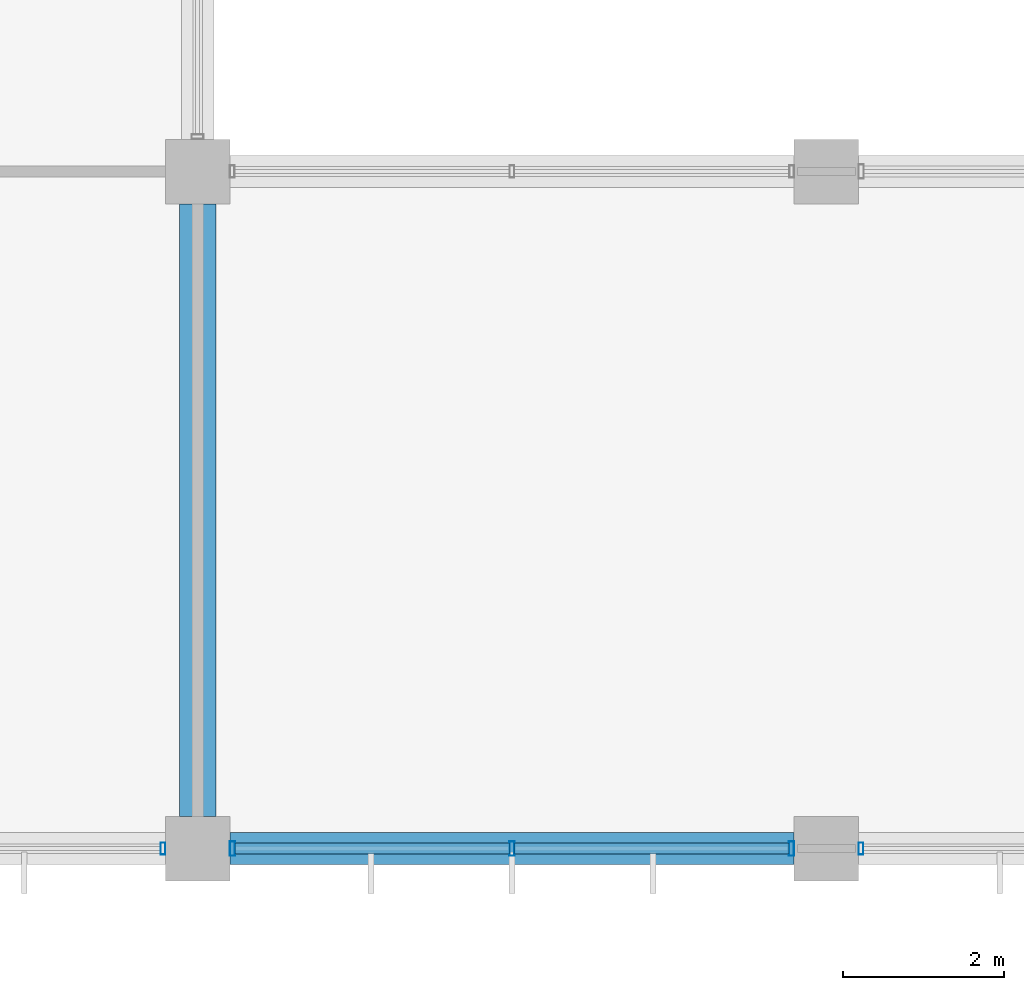
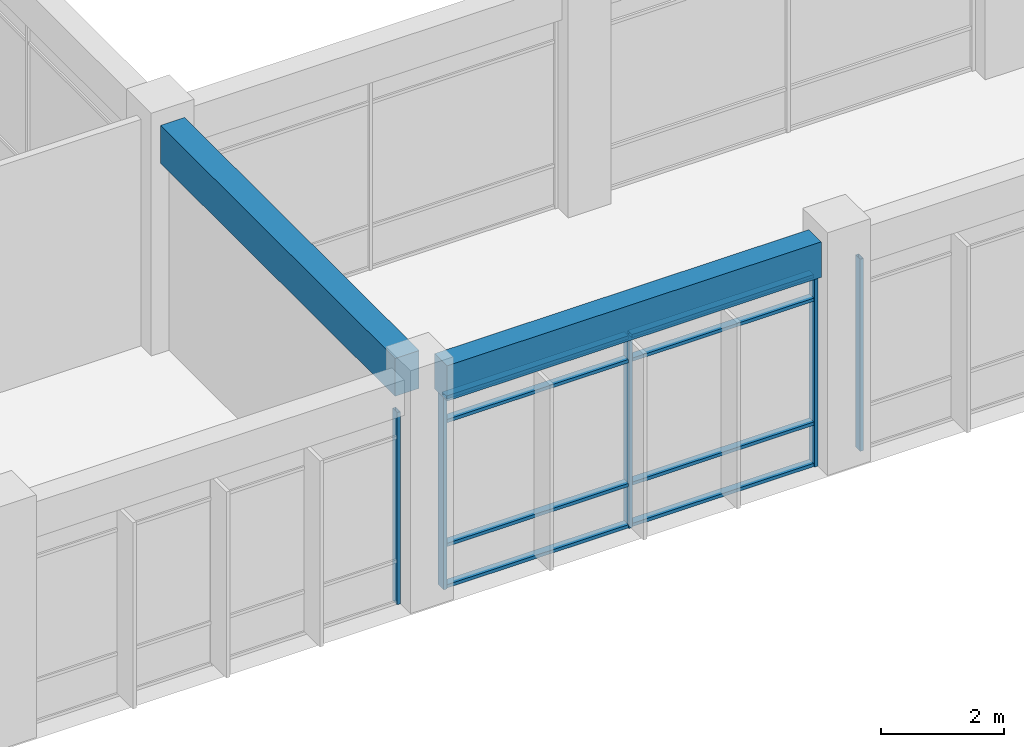
# One storey, part 11 of 62: 13 members, 2 beams, 3 elements without a shape of their own.
"""IFC4 building model written with IfcOpenShell, lengths in metres."""

from ifc_helpers import new_model, si_unit, direction, frame, origin, origin_2d, place, context, subcontext, project, spatial, rectangle, hollow_rectangle, extrude, material, material_profile, profile_set, type_object, element, aggregate, save


model = new_model("IFC4")

# Units and contexts
model_context = context("Model", 3, precision=1e-05, world=origin(), true_north=direction((0.0, 1.0)))
body_context = subcontext(model_context, "Body", "Model", "MODEL_VIEW")
ifc_project = project(units=[si_unit("LENGTHUNIT", "METRE"), si_unit("AREAUNIT", "SQUARE_METRE"), si_unit("VOLUMEUNIT", "CUBIC_METRE"), si_unit("PLANEANGLEUNIT", "RADIAN"), si_unit("MASSUNIT", "GRAM", prefix="KILO"), si_unit("THERMODYNAMICTEMPERATUREUNIT", "KELVIN"), si_unit("POWERUNIT", "WATT")], contexts=[model_context])

# Site, building, storey
site_placement = place(None, origin())
site = spatial("IfcSite", under=ifc_project, at=site_placement, CompositionType="ELEMENT")
building_placement = place(site_placement, origin())
building = spatial("IfcBuilding", under=site, at=building_placement, Name="Srebrne Nadtorze General Hospital", CompositionType="ELEMENT")
storey_placement = place(building_placement, frame((0.0, 0.0, 9.60009765625)))
storey = spatial("IfcBuildingStorey", under=building, at=storey_placement, Name="L02", CompositionType="ELEMENT", Elevation=9.60009765625)

# Curtain wall, member
ifc_material_1 = material(Name="Anodised Aluminium", Category="aluminium")
curtain_wall_type = type_object("IfcCurtainWallType", Name="Unitised curtain wall 7000x3800", PredefinedType="NOTDEFINED", material=ifc_material_1)
curtain_wall_1_placement = place(storey_placement, origin())
curtain_wall_1 = element("IfcCurtainWall", 1, at=curtain_wall_1_placement, inside=storey, type_object=curtain_wall_type, Name="Curtain wall CW-068", PredefinedType="NOTDEFINED")
ifc_material_2 = material(Name="Anodised Aluminium", Category="aluminium")
ifc_material_profile_1 = material_profile(ifc_material_2, hollow_rectangle(XDim=0.06005859375, YDim=0.14990234375, WallThickness=0.00390625, at=origin_2d()), Name="AL-MUL-60x150")
ifc_profile_set_1 = profile_set([ifc_material_profile_1], Name="Anodised Aluminium")
member_type_1 = type_object("IfcMemberType", Name="Curtain mullion 60x150", PredefinedType="MULLION", material=ifc_profile_set_1)
member_1_placement = place(storey_placement, frame((116.570068359375, 0.0, 0.0), z_axis=(0.0, 0.0, 1.0), x_axis=(1.0, 0.0, 0.0)))
member_1 = element("IfcMember", 2, at=member_1_placement, type_object=member_type_1, Name="CW-068 mullion 3", PredefinedType="MULLION", context=body_context, shape_type="SweptSolid", body=[
    extrude(hollow_rectangle(XDim=0.06005859375, YDim=0.14990234375, WallThickness=0.00390625, at=origin_2d()), origin(), (0.0, 0.0, 1.0), 3.7998046875),
])
aggregate(curtain_wall_1, [member_1])

curtain_wall_2_placement = place(storey_placement, origin())
curtain_wall_2 = element("IfcCurtainWall", 3, at=curtain_wall_2_placement, inside=storey, type_object=curtain_wall_type, Name="Curtain wall CW-070", PredefinedType="NOTDEFINED")
member_2_placement = place(storey_placement, frame((125.22998046875, 0.0, 0.0), z_axis=(0.0, 0.0, 1.0), x_axis=(1.0, 0.0, 0.0)))
member_2 = element("IfcMember", 4, at=member_2_placement, type_object=member_type_1, Name="CW-070 mullion 1", PredefinedType="MULLION", context=body_context, shape_type="SweptSolid", body=[
    extrude(hollow_rectangle(XDim=0.06005859375, YDim=0.14990234375, WallThickness=0.00390625, at=origin_2d()), origin(), (0.0, 0.0, 1.0), 3.7998046875),
])
aggregate(curtain_wall_2, [member_2])

# Curtain wall, members
curtain_wall_3_placement = place(storey_placement, origin())
curtain_wall_3 = element("IfcCurtainWall", 5, at=curtain_wall_3_placement, inside=storey, type_object=curtain_wall_type, Name="Curtain wall CW-069", PredefinedType="NOTDEFINED")
ifc_material_3 = material(Name="Anodised Aluminium", Category="aluminium")
ifc_material_profile_2 = material_profile(ifc_material_3, hollow_rectangle(XDim=0.06494140625, YDim=0.179931640625, WallThickness=0.00390625, at=origin_2d()), Name="AL-MUL-65x180")
ifc_profile_set_2 = profile_set([ifc_material_profile_2], Name="Anodised Aluminium")
member_type_2 = type_object("IfcMemberType", Name="Curtain mullion 65x180", PredefinedType="MULLION", material=ifc_profile_set_2)
member_3_placement = place(storey_placement, frame((117.4326171875, 0.0, 0.0), z_axis=(0.0, 0.0, 1.0), x_axis=(1.0, 0.0, 0.0)))
member_3 = element("IfcMember", 6, at=member_3_placement, type_object=member_type_2, Name="CW-069 mullion 1", PredefinedType="MULLION", context=body_context, shape_type="SweptSolid", body=[
    extrude(hollow_rectangle(XDim=0.06494140625, YDim=0.179931640625, WallThickness=0.00390625, at=origin_2d()), origin(), (0.0, 0.0, 1.0), 3.7998046875),
])
member_4_placement = place(storey_placement, frame((120.89990234375, 0.0, 0.0), z_axis=(0.0, 0.0, 1.0), x_axis=(1.0, 0.0, 0.0)))
member_4 = element("IfcMember", 7, at=member_4_placement, type_object=member_type_2, Name="CW-069 mullion 2", PredefinedType="MULLION", context=body_context, shape_type="SweptSolid", body=[
    extrude(hollow_rectangle(XDim=0.06494140625, YDim=0.179931640625, WallThickness=0.00390625, at=origin_2d()), origin(), (0.0, 0.0, 1.0), 3.7998046875),
])
member_5_placement = place(storey_placement, frame((124.367431640625, 0.0, 0.0), z_axis=(0.0, 0.0, 1.0), x_axis=(1.0, 0.0, 0.0)))
member_5 = element("IfcMember", 8, at=member_5_placement, type_object=member_type_2, Name="CW-069 mullion 3", PredefinedType="MULLION", context=body_context, shape_type="SweptSolid", body=[
    extrude(hollow_rectangle(XDim=0.06494140625, YDim=0.179931640625, WallThickness=0.00390625, at=origin_2d()), origin(), (0.0, 0.0, 1.0), 3.7998046875),
])
ifc_material_4 = material(Name="Anodised Aluminium", Category="aluminium")
ifc_material_profile_3 = material_profile(ifc_material_4, hollow_rectangle(XDim=0.06494140625, YDim=0.139892578125, WallThickness=0.00390625, at=origin_2d()), Name="AL-TRN-65x140")
ifc_profile_set_3 = profile_set([ifc_material_profile_3], Name="Anodised Aluminium")
member_type_3 = type_object("IfcMemberType", Name="Curtain transom 65x140", PredefinedType="USERDEFINED", material=ifc_profile_set_3)
member_6_placement = place(storey_placement, frame((117.465087890625, 0.0, 0.032470703125), z_axis=(1.0, 0.0, 0.0), x_axis=(0.0, 0.0, 1.0)))
member_6 = element("IfcMember", 9, at=member_6_placement, type_object=member_type_3, Name="CW-069 transom 1.1", ObjectType="TRANSOM", PredefinedType="USERDEFINED", context=body_context, shape_type="SweptSolid", body=[
    extrude(hollow_rectangle(XDim=0.06494140625, YDim=0.139892578125, WallThickness=0.00390625, at=origin_2d()), origin(), (0.0, 0.0, 1.0), 3.40234375),
])
member_7_placement = place(storey_placement, frame((117.465087890625, 0.0, 0.849853515625), z_axis=(1.0, 0.0, 0.0), x_axis=(0.0, 0.0, 1.0)))
member_7 = element("IfcMember", 10, at=member_7_placement, type_object=member_type_3, Name="CW-069 transom 1.2", ObjectType="TRANSOM", PredefinedType="USERDEFINED", context=body_context, shape_type="SweptSolid", body=[
    extrude(hollow_rectangle(XDim=0.06494140625, YDim=0.139892578125, WallThickness=0.00390625, at=origin_2d()), origin(), (0.0, 0.0, 1.0), 3.40234375),
])
member_8_placement = place(storey_placement, frame((117.465087890625, 0.0, 3.2998046875), z_axis=(1.0, 0.0, 0.0), x_axis=(0.0, 0.0, 1.0)))
member_8 = element("IfcMember", 11, at=member_8_placement, type_object=member_type_3, Name="CW-069 transom 1.3", ObjectType="TRANSOM", PredefinedType="USERDEFINED", context=body_context, shape_type="SweptSolid", body=[
    extrude(hollow_rectangle(XDim=0.06494140625, YDim=0.139892578125, WallThickness=0.00390625, at=origin_2d()), origin(), (0.0, 0.0, 1.0), 3.40234375),
])
member_9_placement = place(storey_placement, frame((117.465087890625, 0.0, 3.767333984375), z_axis=(1.0, 0.0, 0.0), x_axis=(0.0, 0.0, 1.0)))
member_9 = element("IfcMember", 12, at=member_9_placement, type_object=member_type_3, Name="CW-069 transom 1.4", ObjectType="TRANSOM", PredefinedType="USERDEFINED", context=body_context, shape_type="SweptSolid", body=[
    extrude(hollow_rectangle(XDim=0.06494140625, YDim=0.139892578125, WallThickness=0.00390625, at=origin_2d()), origin(), (0.0, 0.0, 1.0), 3.40234375),
])
member_10_placement = place(storey_placement, frame((120.9326171875, 0.0, 0.032470703125), z_axis=(1.0, 0.0, 0.0), x_axis=(0.0, 0.0, 1.0)))
member_10 = element("IfcMember", 13, at=member_10_placement, type_object=member_type_3, Name="CW-069 transom 2.1", ObjectType="TRANSOM", PredefinedType="USERDEFINED", context=body_context, shape_type="SweptSolid", body=[
    extrude(hollow_rectangle(XDim=0.06494140625, YDim=0.139892578125, WallThickness=0.00390625, at=origin_2d()), origin(), (0.0, 0.0, 1.0), 3.40234375),
])
member_11_placement = place(storey_placement, frame((120.9326171875, 0.0, 0.849853515625), z_axis=(1.0, 0.0, 0.0), x_axis=(0.0, 0.0, 1.0)))
member_11 = element("IfcMember", 14, at=member_11_placement, type_object=member_type_3, Name="CW-069 transom 2.2", ObjectType="TRANSOM", PredefinedType="USERDEFINED", context=body_context, shape_type="SweptSolid", body=[
    extrude(hollow_rectangle(XDim=0.06494140625, YDim=0.139892578125, WallThickness=0.00390625, at=origin_2d()), origin(), (0.0, 0.0, 1.0), 3.40234375),
])
member_12_placement = place(storey_placement, frame((120.9326171875, 0.0, 3.2998046875), z_axis=(1.0, 0.0, 0.0), x_axis=(0.0, 0.0, 1.0)))
member_12 = element("IfcMember", 15, at=member_12_placement, type_object=member_type_3, Name="CW-069 transom 2.3", ObjectType="TRANSOM", PredefinedType="USERDEFINED", context=body_context, shape_type="SweptSolid", body=[
    extrude(hollow_rectangle(XDim=0.06494140625, YDim=0.139892578125, WallThickness=0.00390625, at=origin_2d()), origin(), (0.0, 0.0, 1.0), 3.40234375),
])
member_13_placement = place(storey_placement, frame((120.9326171875, 0.0, 3.767333984375), z_axis=(1.0, 0.0, 0.0), x_axis=(0.0, 0.0, 1.0)))
member_13 = element("IfcMember", 16, at=member_13_placement, type_object=member_type_3, Name="CW-069 transom 2.4", ObjectType="TRANSOM", PredefinedType="USERDEFINED", context=body_context, shape_type="SweptSolid", body=[
    extrude(hollow_rectangle(XDim=0.06494140625, YDim=0.139892578125, WallThickness=0.00390625, at=origin_2d()), origin(), (0.0, 0.0, 1.0), 3.40234375),
])
aggregate(curtain_wall_3, [member_3, member_4, member_5, member_6, member_7, member_8, member_9, member_10, member_11, member_12, member_13])

# Beams
ifc_material_5 = material(Name="Concrete C40/50", Category="concrete")
ifc_material_profile_4 = material_profile(ifc_material_5, rectangle(XDim=0.39990234375, YDim=0.699951171875, at=origin_2d()), Name="RC-BM-400x700")
ifc_profile_set_4 = profile_set([ifc_material_profile_4], Name="Concrete C40/50")
beam_type_1 = type_object("IfcBeamType", Name="Edge beam RC 400x700", PredefinedType="BEAM", material=ifc_profile_set_4)
beam_1_placement = place(storey_placement, frame((117.39990234375, 0.0, 4.14990234375), z_axis=(1.0, 0.0, 0.0), x_axis=(0.0, 1.0, 0.0)))
element("IfcBeam", 17, at=beam_1_placement, inside=storey, type_object=beam_type_1, Name="Beam BM-L02-X-0559", PredefinedType="BEAM", context=body_context, shape_type="SweptSolid", body=[
    extrude(rectangle(XDim=0.39990234375, YDim=0.699951171875, at=origin_2d()), origin(), (0.0, 0.0, 1.0), 7.0),
])
ifc_material_6 = material(Name="Concrete C40/50", Category="concrete")
ifc_material_profile_5 = material_profile(ifc_material_6, rectangle(XDim=0.449951171875, YDim=0.75, at=origin_2d()), Name="RC-BM-450x750")
ifc_profile_set_5 = profile_set([ifc_material_profile_5], Name="Concrete C40/50")
beam_type_2 = type_object("IfcBeamType", Name="Primary beam RC 450x750", PredefinedType="BEAM", material=ifc_profile_set_5)
beam_2_placement = place(storey_placement, frame((117.0, 0.39990234375, 4.125), z_axis=(0.0, 1.0, 0.0), x_axis=(-1.0, 0.0, 0.0)))
element("IfcBeam", 18, at=beam_2_placement, inside=storey, type_object=beam_type_2, Name="Beam BM-L02-Y-0680", PredefinedType="BEAM", context=body_context, shape_type="SweptSolid", body=[
    extrude(rectangle(XDim=0.449951171875, YDim=0.75, at=origin_2d()), origin(), (0.0, 0.0, 1.0), 7.60009765625),
])

save(model, "model.ifc")
